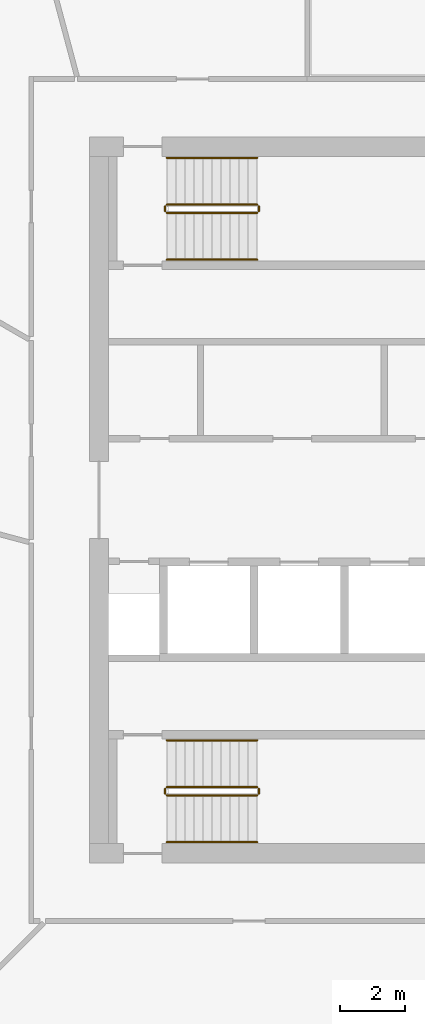
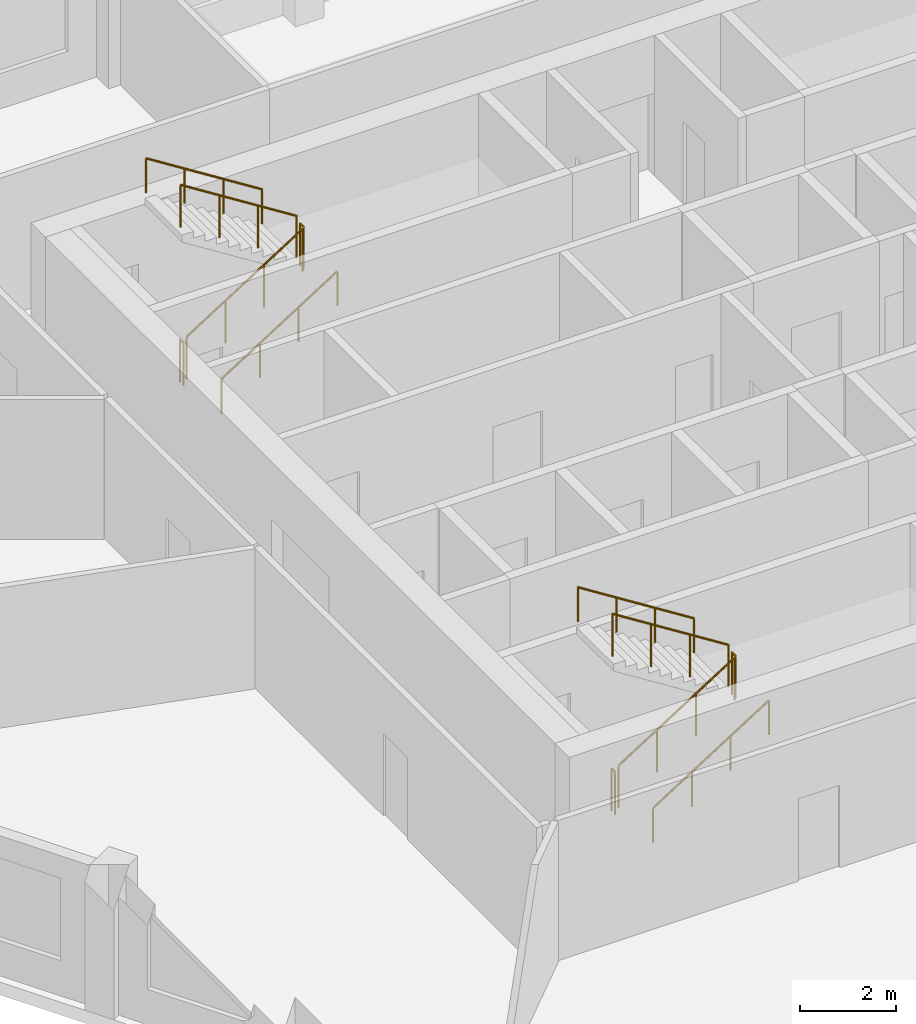
# One storey, part 8 of 10: 12 railings.
"""IFC4 building model written with IfcOpenShell, lengths in metres."""

from ifc_helpers import new_model, si_unit, direction, frame, origin, origin_2d, place, context, subcontext, project, spatial, circle, extrude, material, type_object, element, save


model = new_model("IFC4")

# Units and contexts
model_context = context("Model", 3, precision=1e-05, world=origin(), true_north=direction((0.0, 1.0)))
body_context = subcontext(model_context, "Body", "Model", "MODEL_VIEW")
ifc_project = project(units=[si_unit("LENGTHUNIT", "METRE"), si_unit("AREAUNIT", "SQUARE_METRE"), si_unit("VOLUMEUNIT", "CUBIC_METRE"), si_unit("PLANEANGLEUNIT", "RADIAN"), si_unit("MASSUNIT", "GRAM", prefix="KILO")], contexts=[model_context])

# Site, building, storey
site_placement = place(None, origin())
site = spatial("IfcSite", under=ifc_project, at=site_placement, CompositionType="ELEMENT")
building_placement = place(site_placement, origin())
building = spatial("IfcBuilding", under=site, at=building_placement, Name="Dhurran Vertical Campus", CompositionType="ELEMENT")
storey_placement = place(building_placement, frame((0.0, 0.0, 246.89990234375)))
storey = spatial("IfcBuildingStorey", under=building, at=storey_placement, Name="L61", CompositionType="ELEMENT", Elevation=246.89990234375)

# Railings
ifc_material_1 = material(Name="Stainless steel balustrade", Category="steel")
railing_type_1 = type_object("IfcRailingType", Name="co-RL-GUARD-1100", PredefinedType="GUARDRAIL", material=ifc_material_1)
railing_1_placement = place(storey_placement, frame((-11.10009765625, 8.89990234375, 0.177490234375)))
element("IfcRailing", 1, at=railing_1_placement, inside=storey, type_object=railing_type_1, Name="L61 ST1 stair guard 1", PredefinedType="GUARDRAIL", context=body_context, shape_type="SweptSolid", body=[
    extrude(circle(Radius=0.02392578125, at=origin_2d()), frame((0.0, 0.0, 1.076171875), z_axis=(0.844908973607, 0.0, 0.534910110503), x_axis=(0.0, 1.0, 0.0)), (0.0, 0.0, 1.0), 3.31396484375),
    extrude(circle(Radius=0.02099609375, at=origin_2d()), origin(), (0.0, 0.0, 1.0), 1.052001953125),
    extrude(circle(Radius=0.02099609375, at=origin_2d()), frame((0.933349609375, 0.0, 0.5908203125)), (0.0, 0.0, 1.0), 1.052001953125),
    extrude(circle(Radius=0.02099609375, at=origin_2d()), frame((1.86669921875, 0.0, 1.181884765625)), (0.0, 0.0, 1.0), 1.052001953125),
    extrude(circle(Radius=0.02099609375, at=origin_2d()), frame((2.800048828125, 0.0, 1.772705078125)), (0.0, 0.0, 1.0), 1.052001953125),
])
railing_2_placement = place(storey_placement, frame((-8.25, 8.949951171875, 1.9501953125)))
element("IfcRailing", 2, at=railing_2_placement, inside=storey, type_object=railing_type_1, Name="L61 ST1 stair guard 2", PredefinedType="GUARDRAIL", context=body_context, shape_type="SweptSolid", body=[
    extrude(circle(Radius=0.02392578125, at=origin_2d()), frame((0.0, 0.0, 1.076171875), z_axis=(0.0, 1.0, 0.0), x_axis=(-1.0, 0.0, 0.0)), (0.0, 0.0, 1.0), 0.150146484375),
    extrude(circle(Radius=0.02099609375, at=origin_2d()), origin(), (0.0, 0.0, 1.0), 1.052001953125),
    extrude(circle(Radius=0.02099609375, at=origin_2d()), frame((0.0, 0.150146484375, 0.0)), (0.0, 0.0, 1.0), 1.052001953125),
])
railing_3_placement = place(storey_placement, frame((-8.300048828125, 9.14990234375, 2.12744140625)))
element("IfcRailing", 3, at=railing_3_placement, inside=storey, type_object=railing_type_1, Name="L61 ST1 stair guard 3", PredefinedType="GUARDRAIL", context=body_context, shape_type="SweptSolid", body=[
    extrude(circle(Radius=0.02392578125, at=origin_2d()), frame((0.0, 0.0, 1.076171875), z_axis=(-0.844908973607, 0.0, 0.534910110503), x_axis=(0.0, -1.0, 0.0)), (0.0, 0.0, 1.0), 3.31396484375),
    extrude(circle(Radius=0.02099609375, at=origin_2d()), origin(), (0.0, 0.0, 1.0), 1.052001953125),
    extrude(circle(Radius=0.02099609375, at=origin_2d()), frame((-0.933349609375, 0.0, 0.5908203125)), (0.0, 0.0, 1.0), 1.052001953125),
    extrude(circle(Radius=0.02099609375, at=origin_2d()), frame((-1.86669921875, 0.0, 1.181884765625)), (0.0, 0.0, 1.0), 1.052001953125),
    extrude(circle(Radius=0.02099609375, at=origin_2d()), frame((-2.800048828125, 0.0, 1.772705078125)), (0.0, 0.0, 1.0), 1.052001953125),
])
railing_4_placement = place(storey_placement, frame((-11.14990234375, 8.949951171875, 0.0)))
element("IfcRailing", 4, at=railing_4_placement, inside=storey, type_object=railing_type_1, Name="L61 ST1 stair guard 4", PredefinedType="GUARDRAIL", context=body_context, shape_type="SweptSolid", body=[
    extrude(circle(Radius=0.02392578125, at=origin_2d()), frame((0.0, 0.0, 1.076171875), z_axis=(0.0, 1.0, 0.0), x_axis=(-1.0, 0.0, 0.0)), (0.0, 0.0, 1.0), 0.150146484375),
    extrude(circle(Radius=0.02099609375, at=origin_2d()), origin(), (0.0, 0.0, 1.0), 1.052001953125),
    extrude(circle(Radius=0.02099609375, at=origin_2d()), frame((0.0, 0.150146484375, 0.0)), (0.0, 0.0, 1.0), 1.052001953125),
])
railing_5_placement = place(storey_placement, frame((-11.10009765625, -9.14990234375, 0.177490234375)))
element("IfcRailing", 5, at=railing_5_placement, inside=storey, type_object=railing_type_1, Name="L61 ST3 stair guard 1", PredefinedType="GUARDRAIL", context=body_context, shape_type="SweptSolid", body=[
    extrude(circle(Radius=0.02392578125, at=origin_2d()), frame((0.0, 0.0, 1.076171875), z_axis=(0.844908973607, 0.0, 0.534910110503), x_axis=(0.0, 1.0, 0.0)), (0.0, 0.0, 1.0), 3.31396484375),
    extrude(circle(Radius=0.02099609375, at=origin_2d()), origin(), (0.0, 0.0, 1.0), 1.052001953125),
    extrude(circle(Radius=0.02099609375, at=origin_2d()), frame((0.933349609375, 0.0, 0.5908203125)), (0.0, 0.0, 1.0), 1.052001953125),
    extrude(circle(Radius=0.02099609375, at=origin_2d()), frame((1.86669921875, 0.0, 1.181884765625)), (0.0, 0.0, 1.0), 1.052001953125),
    extrude(circle(Radius=0.02099609375, at=origin_2d()), frame((2.800048828125, 0.0, 1.772705078125)), (0.0, 0.0, 1.0), 1.052001953125),
])
railing_6_placement = place(storey_placement, frame((-8.25, -9.10009765625, 1.9501953125)))
element("IfcRailing", 6, at=railing_6_placement, inside=storey, type_object=railing_type_1, Name="L61 ST3 stair guard 2", PredefinedType="GUARDRAIL", context=body_context, shape_type="SweptSolid", body=[
    extrude(circle(Radius=0.02392578125, at=origin_2d()), frame((0.0, 0.0, 1.076171875), z_axis=(0.0, 1.0, 0.0), x_axis=(-1.0, 0.0, 0.0)), (0.0, 0.0, 1.0), 0.150146484375),
    extrude(circle(Radius=0.02099609375, at=origin_2d()), origin(), (0.0, 0.0, 1.0), 1.052001953125),
    extrude(circle(Radius=0.02099609375, at=origin_2d()), frame((0.0, 0.150146484375, 0.0)), (0.0, 0.0, 1.0), 1.052001953125),
])
railing_7_placement = place(storey_placement, frame((-8.300048828125, -8.89990234375, 2.12744140625)))
element("IfcRailing", 7, at=railing_7_placement, inside=storey, type_object=railing_type_1, Name="L61 ST3 stair guard 3", PredefinedType="GUARDRAIL", context=body_context, shape_type="SweptSolid", body=[
    extrude(circle(Radius=0.02392578125, at=origin_2d()), frame((0.0, 0.0, 1.076171875), z_axis=(-0.844908973607, 0.0, 0.534910110503), x_axis=(0.0, -1.0, 0.0)), (0.0, 0.0, 1.0), 3.31396484375),
    extrude(circle(Radius=0.02099609375, at=origin_2d()), origin(), (0.0, 0.0, 1.0), 1.052001953125),
    extrude(circle(Radius=0.02099609375, at=origin_2d()), frame((-0.933349609375, 0.0, 0.5908203125)), (0.0, 0.0, 1.0), 1.052001953125),
    extrude(circle(Radius=0.02099609375, at=origin_2d()), frame((-1.86669921875, 0.0, 1.181884765625)), (0.0, 0.0, 1.0), 1.052001953125),
    extrude(circle(Radius=0.02099609375, at=origin_2d()), frame((-2.800048828125, 0.0, 1.772705078125)), (0.0, 0.0, 1.0), 1.052001953125),
])
railing_8_placement = place(storey_placement, frame((-11.14990234375, -9.10009765625, 0.0)))
element("IfcRailing", 8, at=railing_8_placement, inside=storey, type_object=railing_type_1, Name="L61 ST3 stair guard 4", PredefinedType="GUARDRAIL", context=body_context, shape_type="SweptSolid", body=[
    extrude(circle(Radius=0.02392578125, at=origin_2d()), frame((0.0, 0.0, 1.076171875), z_axis=(0.0, 1.0, 0.0), x_axis=(-1.0, 0.0, 0.0)), (0.0, 0.0, 1.0), 0.150146484375),
    extrude(circle(Radius=0.02099609375, at=origin_2d()), origin(), (0.0, 0.0, 1.0), 1.052001953125),
    extrude(circle(Radius=0.02099609375, at=origin_2d()), frame((0.0, 0.150146484375, 0.0)), (0.0, 0.0, 1.0), 1.052001953125),
])
ifc_material_2 = material(Name="Stainless steel handrail", Category="steel")
railing_type_2 = type_object("IfcRailingType", Name="co-RL-HANDRAIL-900", PredefinedType="HANDRAIL", material=ifc_material_2)
railing_9_placement = place(storey_placement, frame((-11.10009765625, 7.449951171875, 0.177490234375)))
element("IfcRailing", 9, at=railing_9_placement, inside=storey, type_object=railing_type_2, Name="L61 ST1 stair handrail 1", PredefinedType="HANDRAIL", context=body_context, shape_type="SweptSolid", body=[
    extrude(circle(Radius=0.02392578125, at=origin_2d()), frame((0.0, 0.0, 0.8759765625), z_axis=(0.844908973607, 0.0, 0.534910110503), x_axis=(0.0, 1.0, 0.0)), (0.0, 0.0, 1.0), 3.31396484375),
    extrude(circle(Radius=0.02099609375, at=origin_2d()), origin(), (0.0, 0.0, 1.0), 0.851806640625),
    extrude(circle(Radius=0.02099609375, at=origin_2d()), frame((0.933349609375, 0.0, 0.5908203125)), (0.0, 0.0, 1.0), 0.851806640625),
    extrude(circle(Radius=0.02099609375, at=origin_2d()), frame((1.86669921875, 0.0, 1.181884765625)), (0.0, 0.0, 1.0), 0.851806640625),
    extrude(circle(Radius=0.02099609375, at=origin_2d()), frame((2.800048828125, 0.0, 1.772705078125)), (0.0, 0.0, 1.0), 0.851806640625),
])
railing_10_placement = place(storey_placement, frame((-8.300048828125, 10.60009765625, 2.12744140625)))
element("IfcRailing", 10, at=railing_10_placement, inside=storey, type_object=railing_type_2, Name="L61 ST1 stair handrail 2", PredefinedType="HANDRAIL", context=body_context, shape_type="SweptSolid", body=[
    extrude(circle(Radius=0.02392578125, at=origin_2d()), frame((0.0, 0.0, 0.8759765625), z_axis=(-0.844908973607, 0.0, 0.534910110503), x_axis=(0.0, -1.0, 0.0)), (0.0, 0.0, 1.0), 3.31396484375),
    extrude(circle(Radius=0.02099609375, at=origin_2d()), origin(), (0.0, 0.0, 1.0), 0.851806640625),
    extrude(circle(Radius=0.02099609375, at=origin_2d()), frame((-0.933349609375, 0.0, 0.5908203125)), (0.0, 0.0, 1.0), 0.851806640625),
    extrude(circle(Radius=0.02099609375, at=origin_2d()), frame((-1.86669921875, 0.0, 1.181884765625)), (0.0, 0.0, 1.0), 0.851806640625),
    extrude(circle(Radius=0.02099609375, at=origin_2d()), frame((-2.800048828125, 0.0, 1.772705078125)), (0.0, 0.0, 1.0), 0.851806640625),
])
railing_11_placement = place(storey_placement, frame((-11.10009765625, -10.60009765625, 0.177490234375)))
element("IfcRailing", 11, at=railing_11_placement, inside=storey, type_object=railing_type_2, Name="L61 ST3 stair handrail 1", PredefinedType="HANDRAIL", context=body_context, shape_type="SweptSolid", body=[
    extrude(circle(Radius=0.02392578125, at=origin_2d()), frame((0.0, 0.0, 0.8759765625), z_axis=(0.844908973607, 0.0, 0.534910110503), x_axis=(0.0, 1.0, 0.0)), (0.0, 0.0, 1.0), 3.31396484375),
    extrude(circle(Radius=0.02099609375, at=origin_2d()), origin(), (0.0, 0.0, 1.0), 0.851806640625),
    extrude(circle(Radius=0.02099609375, at=origin_2d()), frame((0.933349609375, 0.0, 0.5908203125)), (0.0, 0.0, 1.0), 0.851806640625),
    extrude(circle(Radius=0.02099609375, at=origin_2d()), frame((1.86669921875, 0.0, 1.181884765625)), (0.0, 0.0, 1.0), 0.851806640625),
    extrude(circle(Radius=0.02099609375, at=origin_2d()), frame((2.800048828125, 0.0, 1.772705078125)), (0.0, 0.0, 1.0), 0.851806640625),
])
railing_12_placement = place(storey_placement, frame((-8.300048828125, -7.449951171875, 2.12744140625)))
element("IfcRailing", 12, at=railing_12_placement, inside=storey, type_object=railing_type_2, Name="L61 ST3 stair handrail 2", PredefinedType="HANDRAIL", context=body_context, shape_type="SweptSolid", body=[
    extrude(circle(Radius=0.02392578125, at=origin_2d()), frame((0.0, 0.0, 0.8759765625), z_axis=(-0.844908973607, 0.0, 0.534910110503), x_axis=(0.0, -1.0, 0.0)), (0.0, 0.0, 1.0), 3.31396484375),
    extrude(circle(Radius=0.02099609375, at=origin_2d()), origin(), (0.0, 0.0, 1.0), 0.851806640625),
    extrude(circle(Radius=0.02099609375, at=origin_2d()), frame((-0.933349609375, 0.0, 0.5908203125)), (0.0, 0.0, 1.0), 0.851806640625),
    extrude(circle(Radius=0.02099609375, at=origin_2d()), frame((-1.86669921875, 0.0, 1.181884765625)), (0.0, 0.0, 1.0), 0.851806640625),
    extrude(circle(Radius=0.02099609375, at=origin_2d()), frame((-2.800048828125, 0.0, 1.772705078125)), (0.0, 0.0, 1.0), 0.851806640625),
])

save(model, "model.ifc")
